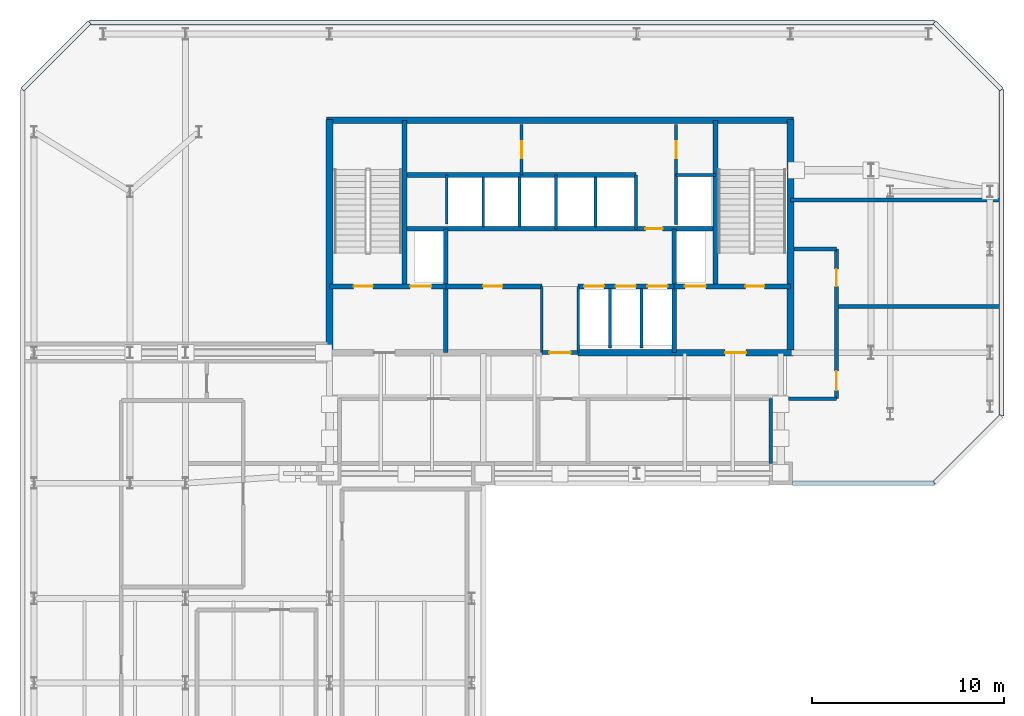
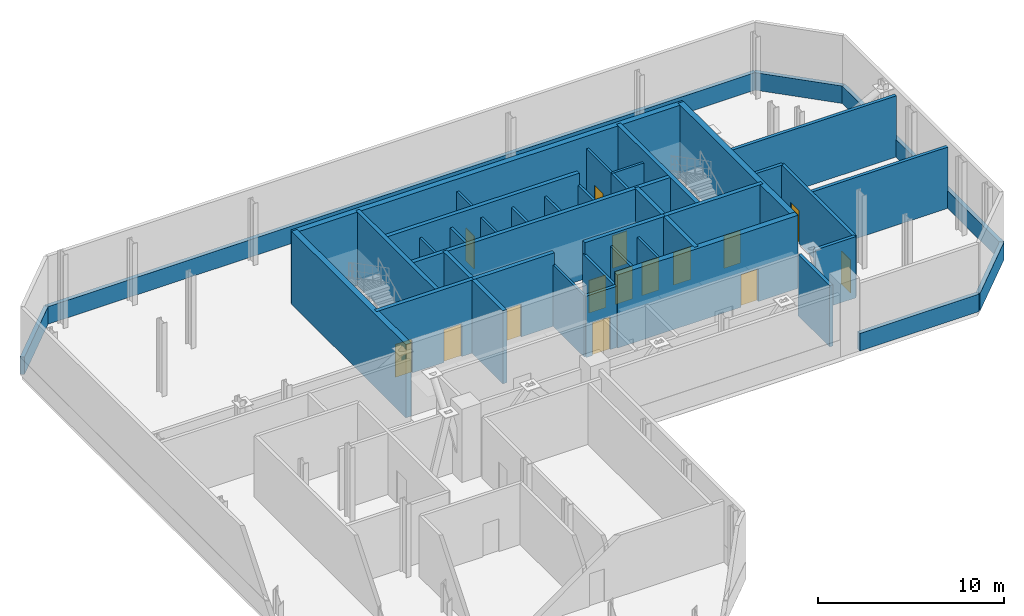
# One storey, part 5 of 9: 41 walls, 15 doors, 15 openings.
"""IFC4 building model written with IfcOpenShell, lengths in metres."""

from ifc_helpers import new_model, si_unit, direction, frame, frame_2d, origin, place, context, subcontext, project, spatial, rectangle, extrude, material, layer, layer_set, type_object, element, fill, save


model = new_model("IFC4")

# Units and contexts
model_context = context("Model", 3, precision=1e-05, world=origin(), true_north=direction((0.0, 1.0)))
body_context = subcontext(model_context, "Body", "Model", "MODEL_VIEW")
ifc_project = project(units=[si_unit("LENGTHUNIT", "METRE"), si_unit("AREAUNIT", "SQUARE_METRE"), si_unit("VOLUMEUNIT", "CUBIC_METRE"), si_unit("PLANEANGLEUNIT", "RADIAN"), si_unit("MASSUNIT", "GRAM", prefix="KILO")], contexts=[model_context])

# Site, building, storey
site_placement = place(None, origin())
site = spatial("IfcSite", under=ifc_project, at=site_placement, CompositionType="ELEMENT")
building_placement = place(site_placement, origin())
building = spatial("IfcBuilding", under=site, at=building_placement, Name="Catumbela Crestline Tower", CompositionType="ELEMENT")
storey_placement = place(building_placement, frame((0.0, 0.0, 144.0)))
storey = spatial("IfcBuildingStorey", under=building, at=storey_placement, Name="L37", CompositionType="ELEMENT", Elevation=144.0)

# Walls
ifc_material_1 = material(Name="Concrete C50/60", Category="concrete")
ifc_layer_1 = layer(ifc_material_1, 0.25, Name="Concrete C50/60")
ifc_layer_set_1 = layer_set([ifc_layer_1], Name="Concrete C50/60")
wall_type_1 = type_object("IfcWallType", Name="CW-250D", PredefinedType="SHEAR", material=ifc_layer_set_1)
for number, where, z_axis, x_axis, name in (
    (1, (19.9, 34.25, 0.0), (0.0, 0.0, 1.0), (0.0, 1.0, 0.0), "L37 Structural Core Shear Wall WWEB"),
    (2, (36.1, 34.25, 0.0), (0.0, 0.0, 1.0), (0.0, 1.0, 0.0), "L37 Structural Core Shear Wall EWEB"),
):
    element("IfcWall", number, at=place(storey_placement, frame(where, z_axis=z_axis, x_axis=x_axis)), inside=storey, type_object=wall_type_1, Name=name, PredefinedType="SHEAR", context=body_context, shape_type="SweptSolid", body=[
        extrude(rectangle(XDim=8.65, YDim=0.25, at=frame_2d((4.325, 0.0))), origin(), (0.0, 0.0, 1.0), 4.8),
    ])
for number, where, z_axis, x_axis, name in (
    (3, (22.05, 30.8, 0.0), (0.0, 0.0, 1.0), (0.0, 1.0, 0.0), "L37 Structural Core Shear Wall FFW"),
    (4, (33.95, 30.8, 0.0), (0.0, 0.0, 1.0), (0.0, 1.0, 0.0), "L37 Structural Core Shear Wall FFE"),
):
    element("IfcWall", number, at=place(storey_placement, frame(where, z_axis=z_axis, x_axis=x_axis)), inside=storey, type_object=wall_type_1, Name=name, PredefinedType="SHEAR", context=body_context, shape_type="SweptSolid", body=[
        extrude(rectangle(XDim=6.45, YDim=0.25, at=frame_2d((3.225, 0.0))), origin(), (0.0, 0.0, 1.0), 4.8),
    ])

# Wall, openings, doors
wall_1_placement = place(storey_placement, frame((16.0, 34.25, 0.0), z_axis=(0.0, 0.0, 1.0), x_axis=(1.0, 0.0, 0.0)))
wall_1 = element("IfcWall", 5, at=wall_1_placement, inside=storey, type_object=wall_type_1, Name="L37 Structural Core Shear Wall ST1S", PredefinedType="SHEAR", context=body_context, shape_type="SweptSolid", body=[
    extrude(rectangle(XDim=6.05, YDim=0.25, at=frame_2d((3.025, 0.0))), origin(), (0.0, 0.0, 1.0), 4.8),
])
opening_1_placement = place(wall_1_placement, frame((1.25, 0.0, 0.0)))
opening_1 = element("IfcOpeningElement", 6, at=opening_1_placement, cuts=wall_1, Name="Opening DF9-100", PredefinedType="OPENING", context=body_context, shape_type="SweptSolid", body=[
    extrude(rectangle(XDim=1.0, YDim=2.15, at=frame_2d((0.5, 1.075))), frame((0.0, 0.135, 0.0), z_axis=(0.0, -1.0, 0.0), x_axis=(1.0, 0.0, 0.0)), (0.0, 0.0, 1.0), 0.27),
])
opening_2_placement = place(wall_1_placement, frame((4.2, 0.0, 0.0)))
opening_2 = element("IfcOpeningElement", 7, at=opening_2_placement, cuts=wall_1, Name="Opening LD-110", PredefinedType="OPENING", context=body_context, shape_type="SweptSolid", body=[
    extrude(rectangle(XDim=1.1, YDim=2.15, at=frame_2d((0.55, 1.075))), frame((0.0, 0.135, 0.0), z_axis=(0.0, -1.0, 0.0), x_axis=(1.0, 0.0, 0.0)), (0.0, 0.0, 1.0), 0.27),
])
ifc_material_2 = material(Name="Stainless steel EN 1.4401", Category="steel")
door_type_1 = type_object("IfcDoorType", Name="DF9-100", OperationType="NOTDEFINED", PredefinedType="DOOR", material=ifc_material_2)
door_1_placement = place(opening_1_placement, origin())
door_1 = element("IfcDoor", 8, at=door_1_placement, inside=storey, type_object=door_type_1, Name="L37 Interior Door DR-L37-ST01", OperationType="SINGLE_SWING_LEFT", OverallHeight=2.15, OverallWidth=1.0, PredefinedType="DOOR", context=body_context, shape_type="SweptSolid", body=[
    extrude(rectangle(XDim=1.0, YDim=2.15, at=frame_2d((0.5, 1.075))), frame((0.0, 0.025, 0.0), z_axis=(0.0, -1.0, 0.0), x_axis=(1.0, 0.0, 0.0)), (0.0, 0.0, 1.0), 0.05),
])
fill(opening_1, door_1)
door_type_2 = type_object("IfcDoorType", Name="LD-110", OperationType="NOTDEFINED", PredefinedType="DOOR", material=ifc_material_2)
door_2_placement = place(opening_2_placement, origin())
door_2 = element("IfcDoor", 9, at=door_2_placement, inside=storey, type_object=door_type_2, Name="L37 Lift Landing Sliding Door FL-01", OperationType="DOUBLE_DOOR_SLIDING", OverallHeight=2.15, OverallWidth=1.1, PredefinedType="DOOR", context=body_context, shape_type="SweptSolid", body=[
    extrude(rectangle(XDim=1.1, YDim=2.15, at=frame_2d((0.55, 1.075))), frame((0.0, 0.025, 0.0), z_axis=(0.0, -1.0, 0.0), x_axis=(1.0, 0.0, 0.0)), (0.0, 0.0, 1.0), 0.05),
])
fill(opening_2, door_2)

wall_2_placement = place(storey_placement, frame((33.95, 34.25, 0.0), z_axis=(0.0, 0.0, 1.0), x_axis=(1.0, 0.0, 0.0)))
wall_2 = element("IfcWall", 10, at=wall_2_placement, inside=storey, type_object=wall_type_1, Name="L37 Structural Core Shear Wall ST2S", PredefinedType="SHEAR", context=body_context, shape_type="SweptSolid", body=[
    extrude(rectangle(XDim=6.05, YDim=0.25, at=frame_2d((3.025, 0.0))), origin(), (0.0, 0.0, 1.0), 4.8),
])
opening_3_placement = place(wall_2_placement, frame((3.7, 0.0, 0.0)))
opening_3 = element("IfcOpeningElement", 11, at=opening_3_placement, cuts=wall_2, Name="Opening DF9-100", PredefinedType="OPENING", context=body_context, shape_type="SweptSolid", body=[
    extrude(rectangle(XDim=1.0, YDim=2.15, at=frame_2d((0.5, 1.075))), frame((0.0, 0.135, 0.0), z_axis=(0.0, -1.0, 0.0), x_axis=(1.0, 0.0, 0.0)), (0.0, 0.0, 1.0), 0.27),
])
opening_4_placement = place(wall_2_placement, frame((0.55, 0.0, 0.0)))
opening_4 = element("IfcOpeningElement", 12, at=opening_4_placement, cuts=wall_2, Name="Opening LD-110", PredefinedType="OPENING", context=body_context, shape_type="SweptSolid", body=[
    extrude(rectangle(XDim=1.1, YDim=2.15, at=frame_2d((0.55, 1.075))), frame((0.0, 0.135, 0.0), z_axis=(0.0, -1.0, 0.0), x_axis=(1.0, 0.0, 0.0)), (0.0, 0.0, 1.0), 0.27),
])
door_3_placement = place(opening_3_placement, origin())
door_3 = element("IfcDoor", 13, at=door_3_placement, inside=storey, type_object=door_type_1, Name="L37 Interior Door DR-L37-ST02", OperationType="SINGLE_SWING_RIGHT", OverallHeight=2.15, OverallWidth=1.0, PredefinedType="DOOR", context=body_context, shape_type="SweptSolid", body=[
    extrude(rectangle(XDim=1.0, YDim=2.15, at=frame_2d((0.5, 1.075))), frame((0.0, 0.025, 0.0), z_axis=(0.0, -1.0, 0.0), x_axis=(1.0, 0.0, 0.0)), (0.0, 0.0, 1.0), 0.05),
])
fill(opening_3, door_3)
door_4_placement = place(opening_4_placement, origin())
door_4 = element("IfcDoor", 14, at=door_4_placement, inside=storey, type_object=door_type_2, Name="L37 Lift Landing Sliding Door FL-02", OperationType="DOUBLE_DOOR_SLIDING", OverallHeight=2.15, OverallWidth=1.1, PredefinedType="DOOR", context=body_context, shape_type="SweptSolid", body=[
    extrude(rectangle(XDim=1.1, YDim=2.15, at=frame_2d((0.55, 1.075))), frame((0.0, 0.025, 0.0), z_axis=(0.0, -1.0, 0.0), x_axis=(1.0, 0.0, 0.0)), (0.0, 0.0, 1.0), 0.05),
])
fill(opening_4, door_4)

# Wall, opening, door
wall_3_placement = place(storey_placement, frame((22.05, 34.25, 0.0), z_axis=(0.0, 0.0, 1.0), x_axis=(1.0, 0.0, 0.0)))
wall_3 = element("IfcWall", 15, at=wall_3_placement, inside=storey, type_object=wall_type_1, Name="L37 Structural Core Shear Wall LIFTS-W", PredefinedType="SHEAR", context=body_context, shape_type="SweptSolid", body=[
    extrude(rectangle(XDim=5.0, YDim=0.25, at=frame_2d((2.5, 0.0))), origin(), (0.0, 0.0, 1.0), 4.8),
])
opening_5_placement = place(wall_3_placement, frame((1.95, 0.0, 0.0)))
opening_5 = element("IfcOpeningElement", 16, at=opening_5_placement, cuts=wall_3, Name="Opening DF9-100", PredefinedType="OPENING", context=body_context, shape_type="SweptSolid", body=[
    extrude(rectangle(XDim=1.0, YDim=2.15, at=frame_2d((0.5, 1.075))), frame((0.0, 0.135, 0.0), z_axis=(0.0, -1.0, 0.0), x_axis=(1.0, 0.0, 0.0)), (0.0, 0.0, 1.0), 0.27),
])
door_5_placement = place(opening_5_placement, origin())
door_5 = element("IfcDoor", 17, at=door_5_placement, inside=storey, type_object=door_type_1, Name="L37 Interior Door DR-L37-RECL1", OperationType="SINGLE_SWING_LEFT", OverallHeight=2.15, OverallWidth=1.0, PredefinedType="DOOR", context=body_context, shape_type="SweptSolid", body=[
    extrude(rectangle(XDim=1.0, YDim=2.15, at=frame_2d((0.5, 1.075))), frame((0.0, 0.025, 0.0), z_axis=(0.0, -1.0, 0.0), x_axis=(1.0, 0.0, 0.0)), (0.0, 0.0, 1.0), 0.05),
])
fill(opening_5, door_5)

# Wall, openings, doors
wall_4_placement = place(storey_placement, frame((28.95, 34.25, 0.0), z_axis=(0.0, 0.0, 1.0), x_axis=(1.0, 0.0, 0.0)))
wall_4 = element("IfcWall", 18, at=wall_4_placement, inside=storey, type_object=wall_type_1, Name="L37 Structural Core Shear Wall LIFTS-E", PredefinedType="SHEAR", context=body_context, shape_type="SweptSolid", body=[
    extrude(rectangle(XDim=5.0, YDim=0.25, at=frame_2d((2.5, 0.0))), origin(), (0.0, 0.0, 1.0), 4.8),
])
opening_6_placement = place(wall_4_placement, frame((0.3, 0.0, 0.0)))
opening_6 = element("IfcOpeningElement", 19, at=opening_6_placement, cuts=wall_4, Name="Opening LD-105", PredefinedType="OPENING", context=body_context, shape_type="SweptSolid", body=[
    extrude(rectangle(XDim=1.05, YDim=2.15, at=frame_2d((0.525, 1.075))), frame((0.0, 0.135, 0.0), z_axis=(0.0, -1.0, 0.0), x_axis=(1.0, 0.0, 0.0)), (0.0, 0.0, 1.0), 0.27),
])
opening_7_placement = place(wall_4_placement, frame((1.95, 0.0, 0.0)))
opening_7 = element("IfcOpeningElement", 20, at=opening_7_placement, cuts=wall_4, Name="Opening LD-105", PredefinedType="OPENING", context=body_context, shape_type="SweptSolid", body=[
    extrude(rectangle(XDim=1.05, YDim=2.15, at=frame_2d((0.525, 1.075))), frame((0.0, 0.135, 0.0), z_axis=(0.0, -1.0, 0.0), x_axis=(1.0, 0.0, 0.0)), (0.0, 0.0, 1.0), 0.27),
])
opening_8_placement = place(wall_4_placement, frame((3.6, 0.0, 0.0)))
opening_8 = element("IfcOpeningElement", 21, at=opening_8_placement, cuts=wall_4, Name="Opening LD-105", PredefinedType="OPENING", context=body_context, shape_type="SweptSolid", body=[
    extrude(rectangle(XDim=1.05, YDim=2.15, at=frame_2d((0.525, 1.075))), frame((0.0, 0.135, 0.0), z_axis=(0.0, -1.0, 0.0), x_axis=(1.0, 0.0, 0.0)), (0.0, 0.0, 1.0), 0.27),
])
door_type_3 = type_object("IfcDoorType", Name="LD-105", OperationType="NOTDEFINED", PredefinedType="DOOR", material=ifc_material_2)
door_6_placement = place(opening_6_placement, origin())
door_6 = element("IfcDoor", 22, at=door_6_placement, inside=storey, type_object=door_type_3, Name="L37 Lift Landing Sliding Door PL-M1", OperationType="DOUBLE_DOOR_SLIDING", OverallHeight=2.15, OverallWidth=1.05, PredefinedType="DOOR", context=body_context, shape_type="SweptSolid", body=[
    extrude(rectangle(XDim=1.05, YDim=2.15, at=frame_2d((0.525, 1.075))), frame((0.0, 0.025, 0.0), z_axis=(0.0, -1.0, 0.0), x_axis=(1.0, 0.0, 0.0)), (0.0, 0.0, 1.0), 0.05),
])
fill(opening_6, door_6)
door_7_placement = place(opening_7_placement, origin())
door_7 = element("IfcDoor", 23, at=door_7_placement, inside=storey, type_object=door_type_3, Name="L37 Lift Landing Sliding Door PL-M2", OperationType="DOUBLE_DOOR_SLIDING", OverallHeight=2.15, OverallWidth=1.05, PredefinedType="DOOR", context=body_context, shape_type="SweptSolid", body=[
    extrude(rectangle(XDim=1.05, YDim=2.15, at=frame_2d((0.525, 1.075))), frame((0.0, 0.025, 0.0), z_axis=(0.0, -1.0, 0.0), x_axis=(1.0, 0.0, 0.0)), (0.0, 0.0, 1.0), 0.05),
])
fill(opening_7, door_7)
door_8_placement = place(opening_8_placement, origin())
door_8 = element("IfcDoor", 24, at=door_8_placement, inside=storey, type_object=door_type_3, Name="L37 Lift Landing Sliding Door PL-M3", OperationType="DOUBLE_DOOR_SLIDING", OverallHeight=2.15, OverallWidth=1.05, PredefinedType="DOOR", context=body_context, shape_type="SweptSolid", body=[
    extrude(rectangle(XDim=1.05, YDim=2.15, at=frame_2d((0.525, 1.075))), frame((0.0, 0.025, 0.0), z_axis=(0.0, -1.0, 0.0), x_axis=(1.0, 0.0, 0.0)), (0.0, 0.0, 1.0), 0.05),
])
fill(opening_8, door_8)

# Wall, opening, door
wall_5_placement = place(storey_placement, frame((19.9, 37.25, 0.0), z_axis=(0.0, 0.0, 1.0), x_axis=(1.0, 0.0, 0.0)))
wall_5 = element("IfcWall", 25, at=wall_5_placement, inside=storey, type_object=wall_type_1, Name="L37 Structural Core Shear Wall LIFTN", PredefinedType="SHEAR", context=body_context, shape_type="SweptSolid", body=[
    extrude(rectangle(XDim=16.2, YDim=0.25, at=frame_2d((8.1, 0.0))), origin(), (0.0, 0.0, 1.0), 4.8),
])
opening_9_placement = place(wall_5_placement, frame((12.55, 0.0, 0.0)))
opening_9 = element("IfcOpeningElement", 26, at=opening_9_placement, cuts=wall_5, Name="Opening DF9-090", PredefinedType="OPENING", context=body_context, shape_type="SweptSolid", body=[
    extrude(rectangle(XDim=0.9, YDim=2.15, at=frame_2d((0.45, 1.075))), frame((0.0, 0.135, 0.0), z_axis=(0.0, -1.0, 0.0), x_axis=(1.0, 0.0, 0.0)), (0.0, 0.0, 1.0), 0.27),
])
door_type_4 = type_object("IfcDoorType", Name="DF9-090", OperationType="NOTDEFINED", PredefinedType="DOOR", material=ifc_material_2)
door_9_placement = place(opening_9_placement, origin())
door_9 = element("IfcDoor", 27, at=door_9_placement, inside=storey, type_object=door_type_4, Name="L37 Interior Door DR-L37-CPAS1", OperationType="SINGLE_SWING_LEFT", OverallHeight=2.15, OverallWidth=0.9, PredefinedType="DOOR", context=body_context, shape_type="SweptSolid", body=[
    extrude(rectangle(XDim=0.9, YDim=2.15, at=frame_2d((0.45, 1.075))), frame((0.0, 0.025, 0.0), z_axis=(0.0, -1.0, 0.0), x_axis=(1.0, 0.0, 0.0)), (0.0, 0.0, 1.0), 0.05),
])
fill(opening_9, door_9)

# Walls
wall_6_placement = place(storey_placement, frame((19.9, 40.05, 0.0), z_axis=(0.0, 0.0, 1.0), x_axis=(1.0, 0.0, 0.0)))
element("IfcWall", 28, at=wall_6_placement, inside=storey, type_object=wall_type_1, Name="L37 Structural Core Shear Wall COREN", PredefinedType="SHEAR", context=body_context, shape_type="SweptSolid", body=[
    extrude(rectangle(XDim=12.05, YDim=0.25, at=frame_2d((6.025, 0.0))), origin(), (0.0, 0.0, 1.0), 4.8),
])
ifc_layer_2 = layer(ifc_material_1, 0.35, Name="Concrete C50/60")
ifc_layer_set_2 = layer_set([ifc_layer_2], Name="Concrete C50/60")
wall_type_2 = type_object("IfcWallType", Name="CW-350B", PredefinedType="SHEAR", material=ifc_layer_set_2)
for number, where, z_axis, x_axis, name in (
    (29, (16.0, 30.65, 0.0), (0.0, 0.0, 1.0), (0.0, 1.0, 0.0), "L37 Structural Core Shear Wall W"),
    (30, (40.0, 30.65, 0.0), (0.0, 0.0, 1.0), (0.0, 1.0, 0.0), "L37 Structural Core Shear Wall E"),
):
    element("IfcWall", number, at=place(storey_placement, frame(where, z_axis=z_axis, x_axis=x_axis)), inside=storey, type_object=wall_type_2, Name=name, PredefinedType="SHEAR", context=body_context, shape_type="SweptSolid", body=[
        extrude(rectangle(XDim=12.3, YDim=0.35, at=frame_2d((6.15, 0.0))), origin(), (0.0, 0.0, 1.0), 4.8),
    ])
wall_7_placement = place(storey_placement, frame((15.85, 42.9, 0.0), z_axis=(0.0, 0.0, 1.0), x_axis=(1.0, 0.0, 0.0)))
element("IfcWall", 31, at=wall_7_placement, inside=storey, type_object=wall_type_2, Name="L37 Structural Core Shear Wall N", PredefinedType="SHEAR", context=body_context, shape_type="SweptSolid", body=[
    extrude(rectangle(XDim=24.3, YDim=0.35, at=frame_2d((12.15, 0.0))), origin(), (0.0, 0.0, 1.0), 4.8),
])

# Wall, opening, door
wall_8_placement = place(storey_placement, frame((28.95, 30.8, 0.0), z_axis=(0.0, 0.0, 1.0), x_axis=(1.0, 0.0, 0.0)))
wall_8 = element("IfcWall", 32, at=wall_8_placement, inside=storey, type_object=wall_type_2, Name="L37 Structural Core Shear Wall SE", PredefinedType="SHEAR", context=body_context, shape_type="SweptSolid", body=[
    extrude(rectangle(XDim=11.2, YDim=0.35, at=frame_2d((5.6, 0.0))), origin(), (0.0, 0.0, 1.0), 4.8),
])
opening_10_placement = place(wall_8_placement, frame((7.65, 0.0, 0.0)))
opening_10 = element("IfcOpeningElement", 33, at=opening_10_placement, cuts=wall_8, Name="Opening DF9-110", PredefinedType="OPENING", context=body_context, shape_type="SweptSolid", body=[
    extrude(rectangle(XDim=1.1, YDim=2.15, at=frame_2d((0.55, 1.075))), frame((0.0, 0.185, 0.0), z_axis=(0.0, -1.0, 0.0), x_axis=(1.0, 0.0, 0.0)), (0.0, 0.0, 1.0), 0.37),
])
door_type_5 = type_object("IfcDoorType", Name="DF9-110", OperationType="NOTDEFINED", PredefinedType="DOOR", material=ifc_material_2)
door_10_placement = place(opening_10_placement, origin())
door_10 = element("IfcDoor", 34, at=door_10_placement, inside=storey, type_object=door_type_5, Name="L37 Interior Door DR-L37-FFE-S", OperationType="SINGLE_SWING_RIGHT", OverallHeight=2.15, OverallWidth=1.1, PredefinedType="DOOR", context=body_context, shape_type="SweptSolid", body=[
    extrude(rectangle(XDim=1.1, YDim=2.15, at=frame_2d((0.55, 1.075))), frame((0.0, 0.025, 0.0), z_axis=(0.0, -1.0, 0.0), x_axis=(1.0, 0.0, 0.0)), (0.0, 0.0, 1.0), 0.05),
])
fill(opening_10, door_10)

ifc_material_3 = material(Name="Acoustic gypsum and mineral-wool partition")
ifc_layer_3 = layer(ifc_material_3, 0.2, Name="Acoustic gypsum and mineral-wool partition")
ifc_layer_set_3 = layer_set([ifc_layer_3], Name="Acoustic gypsum and mineral-wool partition")
wall_type_3 = type_object("IfcWallType", Name="WC-200", PredefinedType="PARTITIONING", material=ifc_layer_set_3)
wall_9_placement = place(storey_placement, frame((27.05, 30.8, 0.0), z_axis=(0.0, 0.0, 1.0), x_axis=(1.0, 0.0, 0.0)))
wall_9 = element("IfcWall", 35, at=wall_9_placement, inside=storey, type_object=wall_type_3, Name="L37 Interior Partition PW-L37-CLOBS", PredefinedType="PARTITIONING", context=body_context, shape_type="SweptSolid", body=[
    extrude(rectangle(XDim=1.9, YDim=0.2, at=frame_2d((0.95, 0.0))), origin(), (0.0, 0.0, 1.0), 4.02),
])
opening_11_placement = place(wall_9_placement, frame((0.4, 0.0, 0.0)))
opening_11 = element("IfcOpeningElement", 36, at=opening_11_placement, cuts=wall_9, Name="Opening DF9-110", PredefinedType="OPENING", context=body_context, shape_type="SweptSolid", body=[
    extrude(rectangle(XDim=1.1, YDim=2.15, at=frame_2d((0.55, 1.075))), frame((0.0, 0.11, 0.0), z_axis=(0.0, -1.0, 0.0), x_axis=(1.0, 0.0, 0.0)), (0.0, 0.0, 1.0), 0.22),
])
door_11_placement = place(opening_11_placement, origin())
door_11 = element("IfcDoor", 37, at=door_11_placement, inside=storey, type_object=door_type_5, Name="L37 Interior Door DR-L37-CLOBS", OperationType="SINGLE_SWING_LEFT", OverallHeight=2.15, OverallWidth=1.1, PredefinedType="DOOR", context=body_context, shape_type="SweptSolid", body=[
    extrude(rectangle(XDim=1.1, YDim=2.15, at=frame_2d((0.55, 1.075))), frame((0.0, 0.025, 0.0), z_axis=(0.0, -1.0, 0.0), x_axis=(1.0, 0.0, 0.0)), (0.0, 0.0, 1.0), 0.05),
])
fill(opening_11, door_11)

# Walls
wall_10_placement = place(storey_placement, frame((38.98, 25.02, 0.0), z_axis=(0.0, 0.0, 1.0), x_axis=(0.0, 1.0, 0.0)))
element("IfcWall", 38, at=wall_10_placement, inside=storey, type_object=wall_type_3, Name="L37 Interior Partition PW-L37-OUECAV-W", PredefinedType="PARTITIONING", context=body_context, shape_type="SweptSolid", body=[
    extrude(rectangle(XDim=3.38, YDim=0.2, at=frame_2d((1.69, 0.0))), origin(), (0.0, 0.0, 1.0), 4.02),
])
wall_11_placement = place(storey_placement, frame((40.0, 38.75, 0.0), z_axis=(0.0, 0.0, 1.0), x_axis=(1.0, 0.0, 0.0)))
element("IfcWall", 39, at=wall_11_placement, inside=storey, type_object=wall_type_3, Name="L37 Interior Partition PW-L37-OULECAV-S", PredefinedType="PARTITIONING", context=body_context, shape_type="SweptSolid", body=[
    extrude(rectangle(XDim=10.9, YDim=0.2, at=frame_2d((5.45, 0.0))), origin(), (0.0, 0.0, 1.0), 4.02),
])
wall_12_placement = place(storey_placement, frame((39.9, 28.4, 0.0), z_axis=(0.0, 0.0, 1.0), x_axis=(1.0, 0.0, 0.0)))
element("IfcWall", 40, at=wall_12_placement, inside=storey, type_object=wall_type_3, Name="L37 Interior Partition PW-L37-SWGS", PredefinedType="PARTITIONING", context=body_context, shape_type="SweptSolid", body=[
    extrude(rectangle(XDim=2.5, YDim=0.2, at=frame_2d((1.25, 0.0))), origin(), (0.0, 0.0, 1.0), 4.02),
])
wall_13_placement = place(storey_placement, frame((42.4, 33.2, 0.0), z_axis=(0.0, 0.0, 1.0), x_axis=(1.0, 0.0, 0.0)))
element("IfcWall", 41, at=wall_13_placement, inside=storey, type_object=wall_type_3, Name="L37 Interior Partition PW-L37-SWGM", PredefinedType="PARTITIONING", context=body_context, shape_type="SweptSolid", body=[
    extrude(rectangle(XDim=8.5, YDim=0.2, at=frame_2d((4.25, 0.0))), origin(), (0.0, 0.0, 1.0), 4.02),
])
wall_14_placement = place(storey_placement, frame((40.2, 36.2, 0.0), z_axis=(0.0, 0.0, 1.0), x_axis=(1.0, 0.0, 0.0)))
element("IfcWall", 42, at=wall_14_placement, inside=storey, type_object=wall_type_3, Name="L37 Interior Partition PW-L37-SWGN", PredefinedType="PARTITIONING", context=body_context, shape_type="SweptSolid", body=[
    extrude(rectangle(XDim=2.2, YDim=0.2, at=frame_2d((1.1, 0.0))), origin(), (0.0, 0.0, 1.0), 4.02),
])

# Wall, openings, doors
wall_15_placement = place(storey_placement, frame((42.4, 28.4, 0.0), z_axis=(0.0, 0.0, 1.0), x_axis=(0.0, 1.0, 0.0)))
wall_15 = element("IfcWall", 43, at=wall_15_placement, inside=storey, type_object=wall_type_3, Name="L37 Interior Partition PW-L37-SWGE", PredefinedType="PARTITIONING", context=body_context, shape_type="SweptSolid", body=[
    extrude(rectangle(XDim=7.8, YDim=0.2, at=frame_2d((3.9, 0.0))), origin(), (0.0, 0.0, 1.0), 4.02),
])
opening_12_placement = place(wall_15_placement, frame((0.44, 0.0, 0.0)))
opening_12 = element("IfcOpeningElement", 44, at=opening_12_placement, cuts=wall_15, Name="Opening DF9-100", PredefinedType="OPENING", context=body_context, shape_type="SweptSolid", body=[
    extrude(rectangle(XDim=1.0, YDim=2.15, at=frame_2d((0.5, 1.075))), frame((0.0, 0.11, 0.0), z_axis=(0.0, -1.0, 0.0), x_axis=(1.0, 0.0, 0.0)), (0.0, 0.0, 1.0), 0.22),
])
opening_13_placement = place(wall_15_placement, frame((5.85, 0.0, 0.0)))
opening_13 = element("IfcOpeningElement", 45, at=opening_13_placement, cuts=wall_15, Name="Opening DF9-090", PredefinedType="OPENING", context=body_context, shape_type="SweptSolid", body=[
    extrude(rectangle(XDim=0.9, YDim=2.15, at=frame_2d((0.45, 1.075))), frame((0.0, 0.11, 0.0), z_axis=(0.0, -1.0, 0.0), x_axis=(1.0, 0.0, 0.0)), (0.0, 0.0, 1.0), 0.22),
])
door_12_placement = place(opening_13_placement, origin())
door_12 = element("IfcDoor", 46, at=door_12_placement, inside=storey, type_object=door_type_4, Name="L37 Interior Door DR-L37-BATT", OperationType="SINGLE_SWING_RIGHT", OverallHeight=2.15, OverallWidth=0.9, PredefinedType="DOOR", context=body_context, shape_type="SweptSolid", body=[
    extrude(rectangle(XDim=0.9, YDim=2.15, at=frame_2d((0.45, 1.075))), frame((0.0, 0.025, 0.0), z_axis=(0.0, -1.0, 0.0), x_axis=(1.0, 0.0, 0.0)), (0.0, 0.0, 1.0), 0.05),
])
fill(opening_13, door_12)
door_13_placement = place(opening_12_placement, origin())
door_13 = element("IfcDoor", 47, at=door_13_placement, inside=storey, type_object=door_type_1, Name="L37 Interior Door DR-L37-SWGE", OperationType="SINGLE_SWING_RIGHT", OverallHeight=2.15, OverallWidth=1.0, PredefinedType="DOOR", context=body_context, shape_type="SweptSolid", body=[
    extrude(rectangle(XDim=1.0, YDim=2.15, at=frame_2d((0.5, 1.075))), frame((0.0, 0.025, 0.0), z_axis=(0.0, -1.0, 0.0), x_axis=(1.0, 0.0, 0.0)), (0.0, 0.0, 1.0), 0.05),
])
fill(opening_12, door_13)

# Walls
ifc_material_4 = material(Name="Angolan grey-ochre granite", Category="masonry")
ifc_layer_4 = layer(ifc_material_4, 0.25, Name="Angolan grey-ochre granite")
ifc_layer_set_4 = layer_set([ifc_layer_4], Name="Angolan grey-ochre granite")
wall_type_4 = type_object("IfcWallType", Name="WE-250", PredefinedType="STANDARD", material=ifc_layer_set_4)
wall_16_placement = place(storey_placement, frame((40.1, 24.0, 0.0), z_axis=(0.0, 0.0, 1.0), x_axis=(1.0, 0.0, 0.0)))
element("IfcWall", 48, at=wall_16_placement, inside=storey, type_object=wall_type_4, Name="L37 Mechanical Spandrel Upstand Wall 3-2", PredefinedType="STANDARD", context=body_context, shape_type="SweptSolid", body=[
    extrude(rectangle(XDim=7.4, YDim=0.25, at=frame_2d((3.7, 0.0))), origin(), (0.0, 0.0, 1.0), 1.15),
])
wall_17_placement = place(storey_placement, frame((47.5, 24.0, 0.0), z_axis=(0.0, 0.0, 1.0), x_axis=(0.707106781187, 0.707106781187, 0.0)))
element("IfcWall", 49, at=wall_17_placement, inside=storey, type_object=wall_type_4, Name="L37 Mechanical Spandrel Upstand Wall 4-1", PredefinedType="STANDARD", context=body_context, shape_type="SweptSolid", body=[
    extrude(rectangle(XDim=4.9497, YDim=0.25, at=frame_2d((2.4748, 0.0))), origin(), (0.0, 0.0, 1.0), 1.15),
])
wall_18_placement = place(storey_placement, frame((51.0, 27.5, 0.0), z_axis=(0.0, 0.0, 1.0), x_axis=(0.0, 1.0, 0.0)))
element("IfcWall", 50, at=wall_18_placement, inside=storey, type_object=wall_type_4, Name="L37 Mechanical Spandrel Upstand Wall 5-1", PredefinedType="STANDARD", context=body_context, shape_type="SweptSolid", body=[
    extrude(rectangle(XDim=17.0, YDim=0.25, at=frame_2d((8.5, 0.0))), origin(), (0.0, 0.0, 1.0), 1.15),
])
wall_19_placement = place(storey_placement, frame((51.0, 44.5, 0.0), z_axis=(0.0, 0.0, 1.0), x_axis=(-0.707106781187, 0.707106781187, 0.0)))
element("IfcWall", 51, at=wall_19_placement, inside=storey, type_object=wall_type_4, Name="L37 Mechanical Spandrel Upstand Wall 6-1", PredefinedType="STANDARD", context=body_context, shape_type="SweptSolid", body=[
    extrude(rectangle(XDim=4.9497, YDim=0.25, at=frame_2d((2.4748, 0.0))), origin(), (0.0, 0.0, 1.0), 1.15),
])
wall_20_placement = place(storey_placement, frame((47.5, 48.0, 0.0), z_axis=(0.0, 0.0, 1.0), x_axis=(-1.0, 0.0, 0.0)))
element("IfcWall", 52, at=wall_20_placement, inside=storey, type_object=wall_type_4, Name="L37 Mechanical Spandrel Upstand Wall 7-1", PredefinedType="STANDARD", context=body_context, shape_type="SweptSolid", body=[
    extrude(rectangle(XDim=44.0, YDim=0.25, at=frame_2d((22.0, 0.0))), origin(), (0.0, 0.0, 1.0), 1.15),
])
wall_21_placement = place(storey_placement, frame((3.5, 48.0, 0.0), z_axis=(0.0, 0.0, 1.0), x_axis=(-0.707106781187, -0.707106781187, 0.0)))
element("IfcWall", 53, at=wall_21_placement, inside=storey, type_object=wall_type_4, Name="L37 Mechanical Spandrel Upstand Wall 8-1", PredefinedType="STANDARD", context=body_context, shape_type="SweptSolid", body=[
    extrude(rectangle(XDim=4.9497, YDim=0.25, at=frame_2d((2.4748, 0.0))), origin(), (0.0, 0.0, 1.0), 1.15),
])
ifc_layer_5 = layer(ifc_material_3, 0.15, Name="Acoustic gypsum and mineral-wool partition")
ifc_layer_set_5 = layer_set([ifc_layer_5], Name="Acoustic gypsum and mineral-wool partition")
wall_type_5 = type_object("IfcWallType", Name="WP-150", PredefinedType="PARTITIONING", material=ifc_layer_set_5)
wall_22_placement = place(storey_placement, frame((34.05, 40.05, 0.0), z_axis=(0.0, 0.0, 1.0), x_axis=(1.0, 0.0, 0.0)))
element("IfcWall", 54, at=wall_22_placement, inside=storey, type_object=wall_type_5, Name="L37 Interior Partition PW-L37-CR-ES", PredefinedType="PARTITIONING", context=body_context, shape_type="SweptSolid", body=[
    extrude(rectangle(XDim=2.05, YDim=0.15, at=frame_2d((1.025, 0.0))), origin(), (0.0, 0.0, 1.0), 4.02),
])

# Wall, opening, door
wall_23_placement = place(storey_placement, frame((34.05, 40.05, 0.0), z_axis=(0.0, 0.0, 1.0), x_axis=(0.0, 1.0, 0.0)))
wall_23 = element("IfcWall", 55, at=wall_23_placement, inside=storey, type_object=wall_type_5, Name="L37 Interior Partition PW-L37-CR-EW", PredefinedType="PARTITIONING", context=body_context, shape_type="SweptSolid", body=[
    extrude(rectangle(XDim=2.63, YDim=0.15, at=frame_2d((1.315, 0.0))), origin(), (0.0, 0.0, 1.0), 4.02),
])
opening_14_placement = place(wall_23_placement, frame((0.865, 0.0, 0.0)))
opening_14 = element("IfcOpeningElement", 56, at=opening_14_placement, cuts=wall_23, Name="Opening DF9-090", PredefinedType="OPENING", context=body_context, shape_type="SweptSolid", body=[
    extrude(rectangle(XDim=0.9, YDim=2.15, at=frame_2d((0.45, 1.075))), frame((0.0, 0.085, 0.0), z_axis=(0.0, -1.0, 0.0), x_axis=(1.0, 0.0, 0.0)), (0.0, 0.0, 1.0), 0.17),
])
door_14_placement = place(opening_14_placement, origin())
door_14 = element("IfcDoor", 57, at=door_14_placement, inside=storey, type_object=door_type_4, Name="L37 Interior Door DR-L37-CREAST", OperationType="SINGLE_SWING_RIGHT", OverallHeight=2.15, OverallWidth=0.9, PredefinedType="DOOR", context=body_context, shape_type="SweptSolid", body=[
    extrude(rectangle(XDim=0.9, YDim=2.15, at=frame_2d((0.45, 1.075))), frame((0.0, 0.025, 0.0), z_axis=(0.0, -1.0, 0.0), x_axis=(1.0, 0.0, 0.0)), (0.0, 0.0, 1.0), 0.05),
])
fill(opening_14, door_14)

wall_24_placement = place(storey_placement, frame((26.0, 40.05, 0.0), z_axis=(0.0, 0.0, 1.0), x_axis=(0.0, 1.0, 0.0)))
wall_24 = element("IfcWall", 58, at=wall_24_placement, inside=storey, type_object=wall_type_5, Name="L37 Interior Partition PW-L37-CR-WW", PredefinedType="PARTITIONING", context=body_context, shape_type="SweptSolid", body=[
    extrude(rectangle(XDim=2.63, YDim=0.15, at=frame_2d((1.315, 0.0))), origin(), (0.0, 0.0, 1.0), 4.02),
])
opening_15_placement = place(wall_24_placement, frame((0.865, 0.0, 0.0)))
opening_15 = element("IfcOpeningElement", 59, at=opening_15_placement, cuts=wall_24, Name="Opening DF9-090", PredefinedType="OPENING", context=body_context, shape_type="SweptSolid", body=[
    extrude(rectangle(XDim=0.9, YDim=2.15, at=frame_2d((0.45, 1.075))), frame((0.0, 0.085, 0.0), z_axis=(0.0, -1.0, 0.0), x_axis=(1.0, 0.0, 0.0)), (0.0, 0.0, 1.0), 0.17),
])
door_15_placement = place(opening_15_placement, origin())
door_15 = element("IfcDoor", 60, at=door_15_placement, inside=storey, type_object=door_type_4, Name="L37 Interior Door DR-L37-CRWEST", OperationType="SINGLE_SWING_LEFT", OverallHeight=2.15, OverallWidth=0.9, PredefinedType="DOOR", context=body_context, shape_type="SweptSolid", body=[
    extrude(rectangle(XDim=0.9, YDim=2.15, at=frame_2d((0.45, 1.075))), frame((0.0, 0.025, 0.0), z_axis=(0.0, -1.0, 0.0), x_axis=(1.0, 0.0, 0.0)), (0.0, 0.0, 1.0), 0.05),
])
fill(opening_15, door_15)

# Walls
ifc_layer_6 = layer(ifc_material_3, 0.15, Name="Acoustic gypsum and mineral-wool partition")
ifc_layer_set_6 = layer_set([ifc_layer_6], Name="Acoustic gypsum and mineral-wool partition")
wall_type_6 = type_object("IfcWallType", Name="WS-150", PredefinedType="PLUMBINGWALL", material=ifc_layer_set_6)
for number, where, z_axis, x_axis, name in (
    (61, (27.05, 30.8, 0.0), (0.0, 0.0, 1.0), (0.0, 1.0, 0.0), "L37 Interior Partition PW-L37-THRW"),
    (62, (28.95, 30.8, 0.0), (0.0, 0.0, 1.0), (0.0, 1.0, 0.0), "L37 Interior Partition PW-L37-THRE"),
):
    element("IfcWall", number, at=place(storey_placement, frame(where, z_axis=z_axis, x_axis=x_axis)), inside=storey, type_object=wall_type_6, Name=name, PredefinedType="PLUMBINGWALL", context=body_context, shape_type="SweptSolid", body=[
        extrude(rectangle(XDim=3.45, YDim=0.15, at=frame_2d((1.725, 0.0))), origin(), (0.0, 0.0, 1.0), 4.02),
    ])
for number, where, z_axis, x_axis, name in (
    (63, (30.6, 31.05, 0.0), (0.0, 0.0, 1.0), (0.0, 1.0, 0.0), "L37 Interior Partition PW-L37-SHM1"),
    (64, (32.25, 31.05, 0.0), (0.0, 0.0, 1.0), (0.0, 1.0, 0.0), "L37 Interior Partition PW-L37-SHM2"),
):
    element("IfcWall", number, at=place(storey_placement, frame(where, z_axis=z_axis, x_axis=x_axis)), inside=storey, type_object=wall_type_6, Name=name, PredefinedType="PLUMBINGWALL", context=body_context, shape_type="SweptSolid", body=[
        extrude(rectangle(XDim=3.1, YDim=0.15, at=frame_2d((1.55, 0.0))), origin(), (0.0, 0.0, 1.0), 4.02),
    ])
wall_25_placement = place(storey_placement, frame((22.1, 37.4897, 0.0), z_axis=(0.0, 0.0, 1.0), x_axis=(0.0, 1.0, 0.0)))
element("IfcWall", 65, at=wall_25_placement, inside=storey, type_object=wall_type_6, Name="L37 Interior Partition PW-L37-SHH0", PredefinedType="PLUMBINGWALL", context=body_context, shape_type="SweptSolid", body=[
    extrude(rectangle(XDim=2.5603, YDim=0.15, at=frame_2d((1.2801, 0.0))), origin(), (0.0, 0.0, 1.0), 4.02),
])
wall_26_placement = place(storey_placement, frame((27.8, 37.25, 0.0), z_axis=(0.0, 0.0, 1.0), x_axis=(0.0, 1.0, 0.0)))
element("IfcWall", 66, at=wall_26_placement, inside=storey, type_object=wall_type_6, Name="L37 Interior Partition PW-L37-SHH3", PredefinedType="PLUMBINGWALL", context=body_context, shape_type="SweptSolid", body=[
    extrude(rectangle(XDim=2.8, YDim=0.15, at=frame_2d((1.4, 0.0))), origin(), (0.0, 0.0, 1.0), 4.02),
])
for number, where, z_axis, x_axis, name in (
    (67, (24.0, 37.35, 0.0), (0.0, 0.0, 1.0), (0.0, 1.0, 0.0), "L37 Interior Partition PW-L37-SHH1"),
    (68, (25.9, 37.35, 0.0), (0.0, 0.0, 1.0), (0.0, 1.0, 0.0), "L37 Interior Partition PW-L37-SHH2"),
):
    element("IfcWall", number, at=place(storey_placement, frame(where, z_axis=z_axis, x_axis=x_axis)), inside=storey, type_object=wall_type_6, Name=name, PredefinedType="PLUMBINGWALL", context=body_context, shape_type="SweptSolid", body=[
        extrude(rectangle(XDim=2.6, YDim=0.15, at=frame_2d((1.3, 0.0))), origin(), (0.0, 0.0, 1.0), 4.02),
    ])
wall_27_placement = place(storey_placement, frame((31.95, 37.25, 0.0), z_axis=(0.0, 0.0, 1.0), x_axis=(0.0, 1.0, 0.0)))
element("IfcWall", 69, at=wall_27_placement, inside=storey, type_object=wall_type_6, Name="L37 Interior Partition PW-L37-SHEX2E", PredefinedType="PLUMBINGWALL", context=body_context, shape_type="SweptSolid", body=[
    extrude(rectangle(XDim=2.8, YDim=0.15, at=frame_2d((1.4, 0.0))), origin(), (0.0, 0.0, 1.0), 4.02),
])
wall_28_placement = place(storey_placement, frame((29.85, 37.35, 0.0), z_axis=(0.0, 0.0, 1.0), x_axis=(0.0, 1.0, 0.0)))
element("IfcWall", 70, at=wall_28_placement, inside=storey, type_object=wall_type_6, Name="L37 Interior Partition PW-L37-SHEX1", PredefinedType="PLUMBINGWALL", context=body_context, shape_type="SweptSolid", body=[
    extrude(rectangle(XDim=2.6, YDim=0.15, at=frame_2d((1.3, 0.0))), origin(), (0.0, 0.0, 1.0), 4.02),
])
wall_29_placement = place(storey_placement, frame((34.05, 37.4734, 0.0), z_axis=(0.0, 0.0, 1.0), x_axis=(0.0, 1.0, 0.0)))
element("IfcWall", 71, at=wall_29_placement, inside=storey, type_object=wall_type_6, Name="L37 Interior Partition PW-L37-RISW", PredefinedType="PLUMBINGWALL", context=body_context, shape_type="SweptSolid", body=[
    extrude(rectangle(XDim=2.5766, YDim=0.15, at=frame_2d((1.2883, 0.0))), origin(), (0.0, 0.0, 1.0), 4.02),
])

save(model, "model.ifc")
